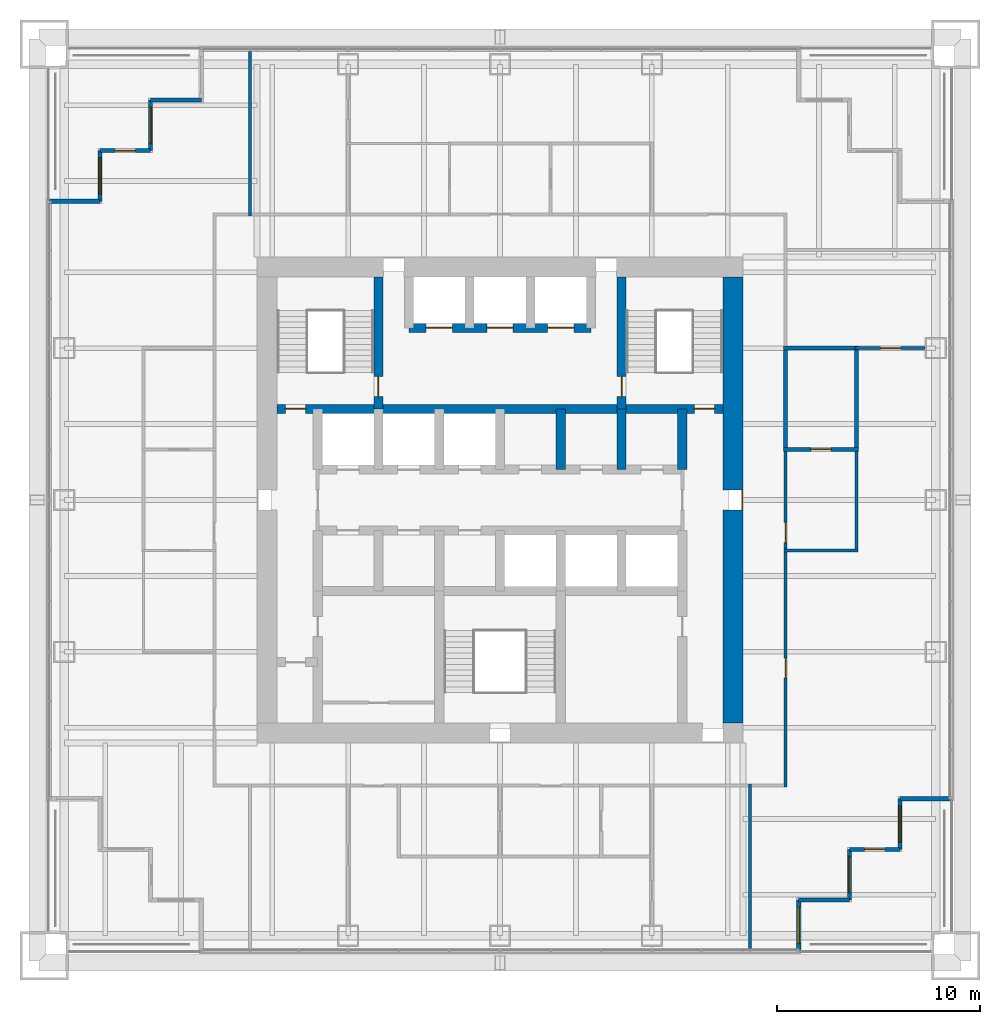
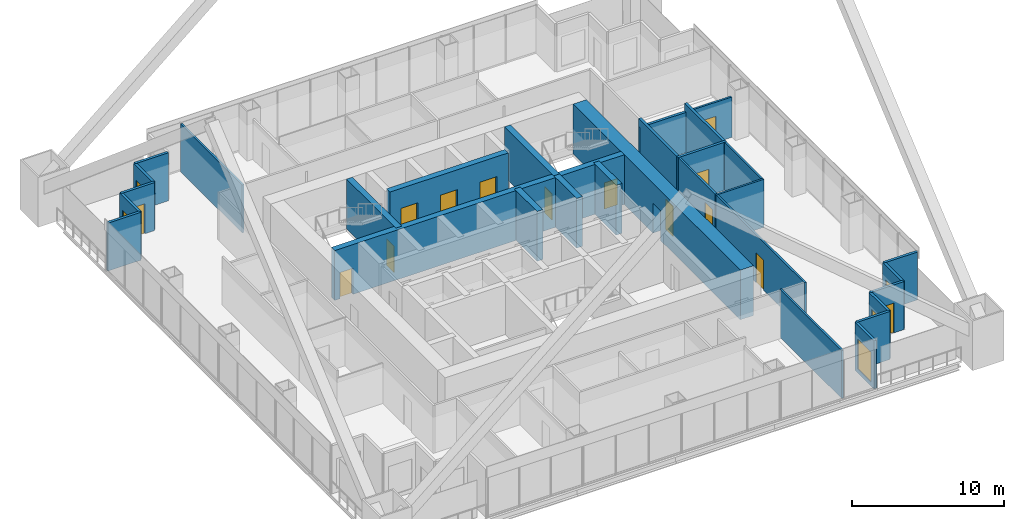
# One storey, part 16 of 19: 29 walls, 14 doors, 5 windows, 19 openings.
"""IFC4 building model written with IfcOpenShell, lengths in metres."""

import ifcopenshell
import ifcopenshell.guid

model = None  # the IFC model being written
_history = None  # IfcOwnerHistory: only IFC2X3 demands one
_inside = {}  # id of a spatial element -> (the spatial element, [elements in it])
_under = {}  # id of a project, library or spatial element -> (it, [spatial elements below it])
_declared = {}  # id of a project -> (the project, [libraries it declares])
_typed = {}  # id of a type object -> (the type object, [elements of that type])
_made_of = {}  # id of a material, layer set ... -> (it, [elements and type objects made of it])


def new_model(schema):
    """Start an empty IFC model of exactly this schema.

    Asked for "IFC4X3", IfcOpenShell would pick the latest addendum, in which some entities
    have other attributes; the version numbers below select the first issue.
    IFC2X3 requires an IfcOwnerHistory on every rooted entity: one is made here for all.
    """
    global model, _history
    if schema == "IFC4X3":
        model = ifcopenshell.file(schema_version=(4, 3, 0, 0))
    else:
        model = ifcopenshell.file(schema=schema)
    _inside.clear()
    _under.clear()
    _declared.clear()
    _typed.clear()
    _made_of.clear()
    _history = None
    if model.schema == "IFC2X3":
        org = make("IfcOrganization", Name="unknown")
        user = make(
            "IfcPersonAndOrganization",
            ThePerson=make("IfcPerson", FamilyName="unknown"),
            TheOrganization=org,
        )
        app = make(
            "IfcApplication",
            ApplicationDeveloper=org,
            Version="unknown",
            ApplicationFullName="unknown",
            ApplicationIdentifier="unknown",
        )
        _history = make(
            "IfcOwnerHistory",
            OwningUser=user,
            OwningApplication=app,
            ChangeAction="ADDED",
            CreationDate=0,
        )
    return model


def make(cls, **values):
    """One entity of the class cls with the attributes given. An attribute that is None is left unset."""
    return model.create_entity(
        cls, **{name: value for name, value in values.items() if value is not None}
    )


def rooted(cls, **values):
    """An entity with a GlobalId (a new one), such as an element, a storey or a relation."""
    return make(cls, GlobalId=ifcopenshell.guid.new(), OwnerHistory=_history, **values)


def si_unit(unit_type, name, prefix=None):
    """IfcSIUnit, for example si_unit("LENGTHUNIT", "METRE", prefix="MILLI")."""
    return make("IfcSIUnit", UnitType=unit_type, Prefix=prefix, Name=name)


def assignment(units):
    """IfcUnitAssignment: the units of a project."""
    return None if units is None else make("IfcUnitAssignment", Units=units)


def point(xyz):
    """IfcCartesianPoint."""
    return None if xyz is None else make("IfcCartesianPoint", Coordinates=xyz)


def direction(xyz):
    """IfcDirection."""
    return None if xyz is None else make("IfcDirection", DirectionRatios=xyz)


def frame(location, z_axis=None, x_axis=None):
    """IfcAxis2Placement3D, a coordinate frame: its origin and axes. An axis left out is left unset."""
    return make(
        "IfcAxis2Placement3D",
        Location=point(location),
        Axis=direction(z_axis),
        RefDirection=direction(x_axis),
    )


def frame_2d(location, x_axis=None):
    """IfcAxis2Placement2D, a coordinate frame in the plane: its origin and x axis."""
    return make(
        "IfcAxis2Placement2D", Location=point(location), RefDirection=direction(x_axis)
    )


def origin():
    """The frame at (0, 0, 0) with its axes left unset."""
    return frame((0.0, 0.0, 0.0))


def place(relative_to, where):
    """IfcLocalPlacement: puts the frame where relative to a parent placement (None: the world)."""
    return make(
        "IfcLocalPlacement", PlacementRelTo=relative_to, RelativePlacement=where
    )


def context(
    kind, dimensions, precision=None, world=None, true_north=None, identifier=None
):
    """IfcGeometricRepresentationContext, for example the 3D "Model" context."""
    return make(
        "IfcGeometricRepresentationContext",
        ContextIdentifier=identifier,
        ContextType=kind,
        CoordinateSpaceDimension=dimensions,
        Precision=precision,
        WorldCoordinateSystem=world,
        TrueNorth=true_north,
    )


def subcontext(parent, identifier, kind, view, scale=None):
    """IfcGeometricRepresentationSubContext, for example "Body" below "Model"."""
    return make(
        "IfcGeometricRepresentationSubContext",
        ContextIdentifier=identifier,
        ContextType=kind,
        ParentContext=parent,
        TargetScale=scale,
        TargetView=view,
    )


def project(units=None, contexts=None):
    """IfcProject with its units and contexts."""
    return rooted(
        "IfcProject",
        Name="project",
        RepresentationContexts=contexts,
        UnitsInContext=assignment(units),
    )


def spatial(cls, under=None, at=None, **own):
    """A site, building, storey or space (cls), placed at a placement, below another one or the project."""
    s = rooted(cls, ObjectPlacement=at, **own)
    if under is not None:
        _under.setdefault(under.id(), (under, []))[1].append(s)
    return s


def profile(cls, at=None, kind="AREA", **sizes):
    """A parametric profile (cls). Its sizes go by their IFC names, for example OverallWidth=200.0."""
    return make(cls, ProfileType=kind, Position=at, **sizes)


def rectangle(**sizes):
    """IfcRectangleProfileDef."""
    return profile("IfcRectangleProfileDef", **sizes)


def extrude(swept, where, along, depth):
    """IfcExtrudedAreaSolid: the profile swept, set in the frame where, extruded along a direction by depth."""
    return make(
        "IfcExtrudedAreaSolid",
        SweptArea=swept,
        Position=where,
        ExtrudedDirection=direction(along),
        Depth=depth,
    )


def shape(context_of_items, identifier, shape_type, items):
    """IfcShapeRepresentation: the items that make up one representation, for example the "Body"."""
    return make(
        "IfcShapeRepresentation",
        ContextOfItems=context_of_items,
        RepresentationIdentifier=identifier,
        RepresentationType=shape_type,
        Items=items,
    )


def material(Name=None, Category=None):
    """IfcMaterial."""
    return make("IfcMaterial", Name=Name, Category=Category)


def layer(
    of_material, thickness, ventilated=None, Name=None, Category=None, Priority=None
):
    """IfcMaterialLayer: one layer of a wall or slab, of a material (None: an air gap)."""
    return make(
        "IfcMaterialLayer",
        Material=of_material,
        LayerThickness=thickness,
        IsVentilated=ventilated,
        Name=Name,
        Category=Category,
        Priority=Priority,
    )


def layer_set(layers, Name=None):
    """IfcMaterialLayerSet."""
    return make("IfcMaterialLayerSet", MaterialLayers=layers, LayerSetName=Name)


def made_of(thing, what):
    """Note that an element or type object is made of a material, layer set ...; save() writes the relation."""
    if what is not None:
        _made_of.setdefault(what.id(), (what, []))[1].append(thing)
    return thing


def type_object(cls, material=None, **own):
    """A type object (cls), such as IfcWallType, which elements share."""
    return made_of(rooted(cls, **own), material)


def element(
    cls,
    number,
    at=None,
    inside=None,
    cuts=None,
    type_object=None,
    material=None,
    context=None,
    identifier="Body",
    shape_type=None,
    held_by="IfcProductDefinitionShape",
    body=None,
    shapes=None,
    **own,
):
    """One element of the class cls, such as IfcWall. Its Tag is "e" and its number.

    at: its placement. inside: the storey or other place that contains it. cuts: it is an
    opening in that element (IfcRelVoidsElement). A single representation is given by context,
    identifier, shape_type and body (its items); several are given by shapes. held_by: the class
    of the entity that holds the representations. save() writes the other relations.
    """
    e = rooted(cls, Tag="e%d" % number, ObjectPlacement=at, **own)
    if body is not None:
        shapes = [shape(context, identifier, shape_type, body)]
    if shapes is not None:
        e.Representation = make(held_by, Representations=shapes)
    if inside is not None:
        _inside.setdefault(inside.id(), (inside, []))[1].append(e)
    if cuts is not None:
        rooted(
            "IfcRelVoidsElement", RelatingBuildingElement=cuts, RelatedOpeningElement=e
        )
    if type_object is not None:
        _typed.setdefault(type_object.id(), (type_object, []))[1].append(e)
    return made_of(e, material)


def fill(opening, filler):
    """IfcRelFillsElement: the door or window that sits in an opening."""
    return rooted(
        "IfcRelFillsElement",
        RelatingOpeningElement=opening,
        RelatedBuildingElement=filler,
    )


def aggregate(whole, parts):
    """IfcRelAggregates: a whole, such as a stair, and the parts it consists of."""
    return rooted("IfcRelAggregates", RelatingObject=whole, RelatedObjects=parts)


def save(model, path):
    """Write the relations noted so far, then the file.

    IfcRelAggregates (storeys below a building ...), IfcRelContainedInSpatialStructure (elements
    in a storey), IfcRelDefinesByType, IfcRelAssociatesMaterial and IfcRelDeclares: one each for
    every whole, place, type object, material and project.
    """
    for whole, parts in _under.values():
        aggregate(whole, parts)
    for where, things in _inside.values():
        rooted(
            "IfcRelContainedInSpatialStructure",
            RelatedElements=things,
            RelatingStructure=where,
        )
    for kind, things in _typed.values():
        rooted("IfcRelDefinesByType", RelatedObjects=things, RelatingType=kind)
    for what, things in _made_of.values():
        rooted("IfcRelAssociatesMaterial", RelatedObjects=things, RelatingMaterial=what)
    for by, libraries in _declared.values():
        rooted("IfcRelDeclares", RelatingContext=by, RelatedDefinitions=libraries)
    model.write(path)


model = new_model("IFC4")

# Units and contexts
model_context = context("Model", 3, precision=1e-05, world=origin(), true_north=direction((0.0, 1.0)))
body_context = subcontext(model_context, "Body", "Model", "MODEL_VIEW")
ifc_project = project(units=[si_unit("LENGTHUNIT", "METRE"), si_unit("AREAUNIT", "SQUARE_METRE"), si_unit("VOLUMEUNIT", "CUBIC_METRE"), si_unit("PLANEANGLEUNIT", "RADIAN"), si_unit("MASSUNIT", "GRAM", prefix="KILO")], contexts=[model_context])

# Site, building, storey
site_placement = place(None, origin())
site = spatial("IfcSite", under=ifc_project, at=site_placement, CompositionType="ELEMENT")
building_placement = place(site_placement, origin())
building = spatial("IfcBuilding", under=site, at=building_placement, Name="Tarangal Relay Tower", CompositionType="ELEMENT")
storey_placement = place(building_placement, frame((0.0, 0.0, 213.89990234375)))
storey = spatial("IfcBuildingStorey", under=building, at=storey_placement, Name="L45", CompositionType="ELEMENT", Elevation=213.89990234375)

# Wall, opening, door
ifc_material_1 = material(Name="Two layers gypsum board each side on twin steel studs, mineral wool", Category="steel")
ifc_layer_1 = layer(ifc_material_1, 0.199951171875)
ifc_layer_set_1 = layer_set([ifc_layer_1], Name="Acoustic partition 200")
wall_type_1 = type_object("IfcWallType", Name="Acoustic partition 200", PredefinedType="PARTITIONING", material=ifc_layer_set_1)
wall_1_placement = place(storey_placement, frame((14.0, 2.5, 0.0), z_axis=(0.0, 0.0, 1.0), x_axis=(1.0, 0.0, 0.0)))
wall_1 = element("IfcWall", 1, at=wall_1_placement, inside=storey, type_object=wall_type_1, Name="Partition PT2 L45", PredefinedType="PARTITIONING", context=body_context, shape_type="SweptSolid", body=[
    extrude(rectangle(XDim=3.699951171875, YDim=0.199951171875, at=frame_2d((1.85009765625, 0.0))), origin(), (0.0, 0.0, 1.0), 3.85009765625),
])
opening_1_placement = place(wall_1_placement, frame((1.35009765625, 0.0, 0.0)))
opening_1 = element("IfcOpeningElement", 2, at=opening_1_placement, cuts=wall_1, Name="Opening D2", PredefinedType="OPENING", context=body_context, shape_type="SweptSolid", body=[
    extrude(rectangle(XDim=1.0, YDim=2.10009765625, at=frame_2d((0.5, 1.050048828125))), frame((0.0, 0.10986328125, 0.0), z_axis=(0.0, -1.0, 0.0), x_axis=(1.0, 0.0, 0.0)), (0.0, 0.0, 1.0), 0.219970703125),
])
ifc_material_2 = material(Name="Hardwood door", Category="wood")
door_type_1 = type_object("IfcDoorType", Name="Door 1000 x 2100", OperationType="SINGLE_SWING_LEFT", PredefinedType="DOOR", material=ifc_material_2)
door_1_placement = place(opening_1_placement, origin())
door_1 = element("IfcDoor", 3, at=door_1_placement, inside=storey, type_object=door_type_1, Name="Door D2 to meeting room L45-07", OperationType="SINGLE_SWING_LEFT", OverallHeight=2.10009765625, OverallWidth=1.0, PredefinedType="DOOR", context=body_context, shape_type="SweptSolid", body=[
    extrude(rectangle(XDim=1.0, YDim=2.10009765625, at=frame_2d((0.5, 1.050048828125))), frame((0.0, 0.02490234375, 0.0), z_axis=(0.0, -1.0, 0.0), x_axis=(1.0, 0.0, 0.0)), (0.0, 0.0, 1.0), 0.050048828125),
])
fill(opening_1, door_1)

# Walls
wall_2_placement = place(storey_placement, frame((14.0, 7.5, 0.0), z_axis=(0.0, 0.0, 1.0), x_axis=(1.0, 0.0, 0.0)))
element("IfcWall", 4, at=wall_2_placement, inside=storey, type_object=wall_type_1, Name="Partition PT2 L45", PredefinedType="PARTITIONING", context=body_context, shape_type="SweptSolid", body=[
    extrude(rectangle(XDim=3.699951171875, YDim=0.199951171875, at=frame_2d((1.85009765625, 0.0))), origin(), (0.0, 0.0, 1.0), 3.238037109375),
])
for number, where, z_axis, x_axis, name in (
    (5, (14.10009765625, 2.39990234375, 0.0), (0.0, 0.0, 1.0), (0.0, 1.0, 0.0), "Partition PT2 L45"),
    (6, (17.60009765625, 2.39990234375, 0.0), (0.0, 0.0, 1.0), (0.0, 1.0, 0.0), "Partition PT2 L45"),
):
    element("IfcWall", number, at=place(storey_placement, frame(where, z_axis=z_axis, x_axis=x_axis)), inside=storey, type_object=wall_type_1, Name=name, PredefinedType="PARTITIONING", context=body_context, shape_type="SweptSolid", body=[
        extrude(rectangle(XDim=5.2001953125, YDim=0.199951171875, at=frame_2d((2.60009765625, 0.0))), origin(), (0.0, 0.0, 1.0), 3.85009765625),
    ])

# Wall, openings, doors
ifc_material_3 = material(Name="Concrete fc' 60 MPa", Category="concrete")
ifc_layer_2 = layer(ifc_material_3, 0.449951171875)
ifc_layer_set_2 = layer_set([ifc_layer_2], Name="Core inner wall 450")
wall_type_2 = type_object("IfcWallType", Name="Core inner wall 450", PredefinedType="SHEAR", material=ifc_layer_set_2)
wall_3_placement = place(storey_placement, frame((-11.0, 4.5, 0.0), z_axis=(0.0, 0.0, 1.0), x_axis=(1.0, 0.0, 0.0)))
wall_3 = element("IfcWall", 7, at=wall_3_placement, inside=storey, type_object=wall_type_2, Name="Core wall Y45 L45", PredefinedType="SHEAR", context=body_context, shape_type="SweptSolid", body=[
    extrude(rectangle(XDim=22.0, YDim=0.449951171875, at=frame_2d((11.0, 0.0))), origin(), (0.0, 0.0, 1.0), 4.0),
])
opening_2_placement = place(wall_3_placement, frame((0.39990234375, 0.0, 0.0)))
opening_2 = element("IfcOpeningElement", 8, at=opening_2_placement, cuts=wall_3, Name="Opening FD1", PredefinedType="OPENING", context=body_context, shape_type="SweptSolid", body=[
    extrude(rectangle(XDim=1.0, YDim=2.10009765625, at=frame_2d((0.5, 1.050048828125))), frame((0.0, 0.23486328125, 0.0), z_axis=(0.0, -1.0, 0.0), x_axis=(1.0, 0.0, 0.0)), (0.0, 0.0, 1.0), 0.469970703125),
])
opening_3_placement = place(wall_3_placement, frame((20.60009765625, 0.0, 0.0)))
opening_3 = element("IfcOpeningElement", 9, at=opening_3_placement, cuts=wall_3, Name="Opening FD1", PredefinedType="OPENING", context=body_context, shape_type="SweptSolid", body=[
    extrude(rectangle(XDim=1.0, YDim=2.10009765625, at=frame_2d((0.5, 1.050048828125))), frame((0.0, 0.23486328125, 0.0), z_axis=(0.0, -1.0, 0.0), x_axis=(1.0, 0.0, 0.0)), (0.0, 0.0, 1.0), 0.469970703125),
])
ifc_material_4 = material(Name="Steel door with hardwood frame", Category="steel")
door_type_2 = type_object("IfcDoorType", Name="Fire door 1000 x 2100", OperationType="SINGLE_SWING_LEFT", PredefinedType="DOOR", material=ifc_material_4)
door_2_placement = place(opening_2_placement, origin())
door_2 = element("IfcDoor", 10, at=door_2_placement, inside=storey, type_object=door_type_2, Name="Stair ST-A door from corridor L45", OperationType="SINGLE_SWING_LEFT", OverallHeight=2.10009765625, OverallWidth=1.0, PredefinedType="DOOR", context=body_context, shape_type="SweptSolid", body=[
    extrude(rectangle(XDim=1.0, YDim=2.10009765625, at=frame_2d((0.5, 1.050048828125))), frame((0.0, 0.02490234375, 0.0), z_axis=(0.0, -1.0, 0.0), x_axis=(1.0, 0.0, 0.0)), (0.0, 0.0, 1.0), 0.050048828125),
])
fill(opening_2, door_2)
door_3_placement = place(opening_3_placement, origin())
door_3 = element("IfcDoor", 11, at=door_3_placement, inside=storey, type_object=door_type_2, Name="Stair ST-B door from corridor L45", OperationType="SINGLE_SWING_LEFT", OverallHeight=2.10009765625, OverallWidth=1.0, PredefinedType="DOOR", context=body_context, shape_type="SweptSolid", body=[
    extrude(rectangle(XDim=1.0, YDim=2.10009765625, at=frame_2d((0.5, 1.050048828125))), frame((0.0, 0.02490234375, 0.0), z_axis=(0.0, -1.0, 0.0), x_axis=(1.0, 0.0, 0.0)), (0.0, 0.0, 1.0), 0.050048828125),
])
fill(opening_3, door_3)

wall_4_placement = place(storey_placement, frame((-4.5, 8.5, 0.0), z_axis=(0.0, 0.0, 1.0), x_axis=(1.0, 0.0, 0.0)))
wall_4 = element("IfcWall", 12, at=wall_4_placement, inside=storey, type_object=wall_type_2, Name="Core wall Y85 L45", PredefinedType="SHEAR", context=body_context, shape_type="SweptSolid", body=[
    extrude(rectangle(XDim=9.0, YDim=0.449951171875, at=frame_2d((4.5, 0.0))), origin(), (0.0, 0.0, 1.0), 4.0),
])
opening_4_placement = place(wall_4_placement, frame((0.85009765625, 0.0, 0.0)))
opening_4 = element("IfcOpeningElement", 13, at=opening_4_placement, cuts=wall_4, Name="Opening LD2", PredefinedType="OPENING", context=body_context, shape_type="SweptSolid", body=[
    extrude(rectangle(XDim=1.300048828125, YDim=2.39990234375, at=frame_2d((0.64990234375, 1.199951171875))), frame((0.0, 0.23486328125, 0.0), z_axis=(0.0, -1.0, 0.0), x_axis=(1.0, 0.0, 0.0)), (0.0, 0.0, 1.0), 0.469970703125),
])
opening_5_placement = place(wall_4_placement, frame((6.85009765625, 0.0, 0.0)))
opening_5 = element("IfcOpeningElement", 14, at=opening_5_placement, cuts=wall_4, Name="Opening LD2", PredefinedType="OPENING", context=body_context, shape_type="SweptSolid", body=[
    extrude(rectangle(XDim=1.300048828125, YDim=2.39990234375, at=frame_2d((0.64990234375, 1.199951171875))), frame((0.0, 0.23486328125, 0.0), z_axis=(0.0, -1.0, 0.0), x_axis=(1.0, 0.0, 0.0)), (0.0, 0.0, 1.0), 0.469970703125),
])
opening_6_placement = place(wall_4_placement, frame((3.85009765625, 0.0, 0.0)))
opening_6 = element("IfcOpeningElement", 15, at=opening_6_placement, cuts=wall_4, Name="Opening LD2", PredefinedType="OPENING", context=body_context, shape_type="SweptSolid", body=[
    extrude(rectangle(XDim=1.300048828125, YDim=2.39990234375, at=frame_2d((0.64990234375, 1.199951171875))), frame((0.0, 0.23486328125, 0.0), z_axis=(0.0, -1.0, 0.0), x_axis=(1.0, 0.0, 0.0)), (0.0, 0.0, 1.0), 0.469970703125),
])
door_type_3 = type_object("IfcDoorType", Name="Lift landing door 1300 x 2400", OperationType="SLIDING_TO_LEFT", PredefinedType="DOOR", material=ifc_material_4)
door_4_placement = place(opening_4_placement, origin())
door_4 = element("IfcDoor", 16, at=door_4_placement, inside=storey, type_object=door_type_3, Name="Lift FF1 landing door L45", OperationType="SLIDING_TO_LEFT", OverallHeight=2.39990234375, OverallWidth=1.300048828125, PredefinedType="DOOR", context=body_context, shape_type="SweptSolid", body=[
    extrude(rectangle(XDim=1.300048828125, YDim=2.39990234375, at=frame_2d((0.64990234375, 1.199951171875))), frame((0.0, 0.02490234375, 0.0), z_axis=(0.0, -1.0, 0.0), x_axis=(1.0, 0.0, 0.0)), (0.0, 0.0, 1.0), 0.050048828125),
])
fill(opening_4, door_4)
door_5_placement = place(opening_5_placement, origin())
door_5 = element("IfcDoor", 17, at=door_5_placement, inside=storey, type_object=door_type_3, Name="Lift FF2 landing door L45", OperationType="SLIDING_TO_LEFT", OverallHeight=2.39990234375, OverallWidth=1.300048828125, PredefinedType="DOOR", context=body_context, shape_type="SweptSolid", body=[
    extrude(rectangle(XDim=1.300048828125, YDim=2.39990234375, at=frame_2d((0.64990234375, 1.199951171875))), frame((0.0, 0.02490234375, 0.0), z_axis=(0.0, -1.0, 0.0), x_axis=(1.0, 0.0, 0.0)), (0.0, 0.0, 1.0), 0.050048828125),
])
fill(opening_5, door_5)
door_6_placement = place(opening_6_placement, origin())
door_6 = element("IfcDoor", 18, at=door_6_placement, inside=storey, type_object=door_type_3, Name="Lift SV1 landing door L45", OperationType="SLIDING_TO_LEFT", OverallHeight=2.39990234375, OverallWidth=1.300048828125, PredefinedType="DOOR", context=body_context, shape_type="SweptSolid", body=[
    extrude(rectangle(XDim=1.300048828125, YDim=2.39990234375, at=frame_2d((0.64990234375, 1.199951171875))), frame((0.0, 0.02490234375, 0.0), z_axis=(0.0, -1.0, 0.0), x_axis=(1.0, 0.0, 0.0)), (0.0, 0.0, 1.0), 0.050048828125),
])
fill(opening_6, door_6)

# Walls
for number, where, z_axis, x_axis, name in (
    (19, (9.0, 1.5, 0.0), (0.0, 0.0, 1.0), (0.0, 1.0, 0.0), "Core wall X9N L45"),
    (20, (3.0, 1.5, 0.0), (0.0, 0.0, 1.0), (0.0, 1.0, 0.0), "Core wall X3N L45"),
    (21, (6.0, 1.5, 0.0), (0.0, 0.0, 1.0), (0.0, 1.0, 0.0), "Core wall X6N L45"),
):
    element("IfcWall", number, at=place(storey_placement, frame(where, z_axis=z_axis, x_axis=x_axis)), inside=storey, type_object=wall_type_2, Name=name, PredefinedType="SHEAR", context=body_context, shape_type="SweptSolid", body=[
        extrude(rectangle(XDim=3.0, YDim=0.449951171875, at=frame_2d((1.5, 0.0))), origin(), (0.0, 0.0, 1.0), 4.0),
    ])

# Wall, opening, door
wall_5_placement = place(storey_placement, frame((-6.0, 4.5, 0.0), z_axis=(0.0, 0.0, 1.0), x_axis=(0.0, 1.0, 0.0)))
wall_5 = element("IfcWall", 22, at=wall_5_placement, inside=storey, type_object=wall_type_2, Name="Core wall XM6 L45", PredefinedType="SHEAR", context=body_context, shape_type="SweptSolid", body=[
    extrude(rectangle(XDim=6.5, YDim=0.449951171875, at=frame_2d((3.25, 0.0))), origin(), (0.0, 0.0, 1.0), 4.0),
])
opening_7_placement = place(wall_5_placement, frame((0.60009765625, 0.0, 0.0)))
opening_7 = element("IfcOpeningElement", 23, at=opening_7_placement, cuts=wall_5, Name="Opening FD1", PredefinedType="OPENING", context=body_context, shape_type="SweptSolid", body=[
    extrude(rectangle(XDim=1.0, YDim=2.10009765625, at=frame_2d((0.5, 1.050048828125))), frame((0.0, 0.23486328125, 0.0), z_axis=(0.0, -1.0, 0.0), x_axis=(1.0, 0.0, 0.0)), (0.0, 0.0, 1.0), 0.469970703125),
])
door_7_placement = place(opening_7_placement, origin())
door_7 = element("IfcDoor", 24, at=door_7_placement, inside=storey, type_object=door_type_2, Name="Stair ST-A door from fire-fighting lobby L45", OperationType="SINGLE_SWING_LEFT", OverallHeight=2.10009765625, OverallWidth=1.0, PredefinedType="DOOR", context=body_context, shape_type="SweptSolid", body=[
    extrude(rectangle(XDim=1.0, YDim=2.10009765625, at=frame_2d((0.5, 1.050048828125))), frame((0.0, 0.02490234375, 0.0), z_axis=(0.0, -1.0, 0.0), x_axis=(1.0, 0.0, 0.0)), (0.0, 0.0, 1.0), 0.050048828125),
])
fill(opening_7, door_7)

wall_6_placement = place(storey_placement, frame((6.0, 4.5, 0.0), z_axis=(0.0, 0.0, 1.0), x_axis=(0.0, 1.0, 0.0)))
wall_6 = element("IfcWall", 25, at=wall_6_placement, inside=storey, type_object=wall_type_2, Name="Core wall X6 L45", PredefinedType="SHEAR", context=body_context, shape_type="SweptSolid", body=[
    extrude(rectangle(XDim=6.5, YDim=0.449951171875, at=frame_2d((3.25, 0.0))), origin(), (0.0, 0.0, 1.0), 4.0),
])
opening_8_placement = place(wall_6_placement, frame((0.60009765625, 0.0, 0.0)))
opening_8 = element("IfcOpeningElement", 26, at=opening_8_placement, cuts=wall_6, Name="Opening FD1", PredefinedType="OPENING", context=body_context, shape_type="SweptSolid", body=[
    extrude(rectangle(XDim=1.0, YDim=2.10009765625, at=frame_2d((0.5, 1.050048828125))), frame((0.0, 0.23486328125, 0.0), z_axis=(0.0, -1.0, 0.0), x_axis=(1.0, 0.0, 0.0)), (0.0, 0.0, 1.0), 0.469970703125),
])
door_8_placement = place(opening_8_placement, origin())
door_8 = element("IfcDoor", 27, at=door_8_placement, inside=storey, type_object=door_type_2, Name="Stair ST-B door from fire-fighting lobby L45", OperationType="SINGLE_SWING_LEFT", OverallHeight=2.10009765625, OverallWidth=1.0, PredefinedType="DOOR", context=body_context, shape_type="SweptSolid", body=[
    extrude(rectangle(XDim=1.0, YDim=2.10009765625, at=frame_2d((0.5, 1.050048828125))), frame((0.0, 0.02490234375, 0.0), z_axis=(0.0, -1.0, 0.0), x_axis=(1.0, 0.0, 0.0)), (0.0, 0.0, 1.0), 0.050048828125),
])
fill(opening_8, door_8)

ifc_layer_3 = layer(ifc_material_3, 1.0)
ifc_layer_set_3 = layer_set([ifc_layer_3], Name="Core wall 1000")
wall_type_3 = type_object("IfcWallType", Name="Core wall 1000", PredefinedType="SHEAR", material=ifc_layer_set_3)
wall_7_placement = place(storey_placement, frame((11.5, 11.0, 0.0), z_axis=(0.0, 0.0, 1.0), x_axis=(0.0, -1.0, 0.0)))
wall_7 = element("IfcWall", 28, at=wall_7_placement, inside=storey, type_object=wall_type_3, Name="Core wall E L45", PredefinedType="SHEAR", context=body_context, shape_type="SweptSolid", body=[
    extrude(rectangle(XDim=22.0, YDim=1.0, at=frame_2d((11.0, 0.0))), origin(), (0.0, 0.0, 1.0), 4.0),
])
opening_9_placement = place(wall_7_placement, frame((10.5, 0.0, 0.0)))
opening_9 = element("IfcOpeningElement", 29, at=opening_9_placement, cuts=wall_7, Name="Opening FD3", PredefinedType="OPENING", context=body_context, shape_type="SweptSolid", body=[
    extrude(rectangle(XDim=1.0, YDim=2.39990234375, at=frame_2d((0.5, 1.199951171875))), frame((0.0, 0.510009765625, 0.0), z_axis=(0.0, -1.0, 0.0), x_axis=(1.0, 0.0, 0.0)), (0.0, 0.0, 1.0), 1.02001953125),
])
door_type_4 = type_object("IfcDoorType", Name="Fire door 1000 x 2400 core entry", OperationType="SINGLE_SWING_RIGHT", PredefinedType="DOOR", material=ifc_material_4)
door_9_placement = place(opening_9_placement, origin())
door_9 = element("IfcDoor", 30, at=door_9_placement, inside=storey, type_object=door_type_4, Name="Core entry door east L45", OperationType="SINGLE_SWING_RIGHT", OverallHeight=2.39990234375, OverallWidth=1.0, PredefinedType="DOOR", context=body_context, shape_type="SweptSolid", body=[
    extrude(rectangle(XDim=1.0, YDim=2.39990234375, at=frame_2d((0.5, 1.199951171875))), frame((0.0, 0.48486328125, 0.0), z_axis=(0.0, -1.0, 0.0), x_axis=(1.0, 0.0, 0.0)), (0.0, 0.0, 1.0), 0.050048828125),
])
fill(opening_9, door_9)

# Wall
ifc_material_5 = material(Name="Black metal clad insulated wall", Category="steel")
ifc_layer_4 = layer(ifc_material_5, 0.199951171875)
ifc_layer_set_4 = layer_set([ifc_layer_4], Name="Corner wall metal clad 200")
wall_type_4 = type_object("IfcWallType", Name="Corner wall metal clad 200", PredefinedType="SOLIDWALL", material=ifc_layer_set_4)
wall_8_placement = place(storey_placement, frame((22.25, -14.75, 0.0), z_axis=(0.0, 0.0, 1.0), x_axis=(-1.0, 0.0, 0.0)))
element("IfcWall", 31, at=wall_8_placement, inside=storey, type_object=wall_type_4, Name="Facade wall E facade L45", PredefinedType="SOLIDWALL", context=body_context, shape_type="SweptSolid", body=[
    extrude(rectangle(XDim=2.5, YDim=0.199951171875, at=frame_2d((1.25, 0.0))), origin(), (0.0, 0.0, 1.0), 3.85009765625),
])

# Wall, opening, window
wall_9_placement = place(storey_placement, frame((19.75, -14.75, 0.0), z_axis=(0.0, 0.0, 1.0), x_axis=(0.0, -1.0, 0.0)))
wall_9 = element("IfcWall", 32, at=wall_9_placement, inside=storey, type_object=wall_type_4, Name="Facade wall E facade L45", PredefinedType="SOLIDWALL", context=body_context, shape_type="SweptSolid", body=[
    extrude(rectangle(XDim=2.5, YDim=0.199951171875, at=frame_2d((1.25, 0.0))), origin(), (0.0, 0.0, 1.0), 3.85009765625),
])
opening_10_placement = place(wall_9_placement, frame((0.35009765625, 0.0, 0.300048828125)))
opening_10 = element("IfcOpeningElement", 33, at=opening_10_placement, cuts=wall_9, Name="Opening WN2", PredefinedType="OPENING", context=body_context, shape_type="SweptSolid", body=[
    extrude(rectangle(XDim=1.800048828125, YDim=2.39990234375, at=frame_2d((0.89990234375, 1.199951171875))), frame((0.0, 0.10986328125, 0.0), z_axis=(0.0, -1.0, 0.0), x_axis=(1.0, 0.0, 0.0)), (0.0, 0.0, 1.0), 0.219970703125),
])
ifc_material_6 = material(Name="Dark tinted double glazing in black aluminium frame", Category="aluminium")
window_type = type_object("IfcWindowType", Name="Corner window 1800 x 2400", PartitioningType="SINGLE_PANEL", PredefinedType="WINDOW", material=ifc_material_6)
window_1_placement = place(opening_10_placement, origin())
window_1 = element("IfcWindow", 34, at=window_1_placement, inside=storey, type_object=window_type, Name="Corner window WN2 E facade L45", OverallHeight=2.39990234375, OverallWidth=1.800048828125, PartitioningType="SINGLE_PANEL", PredefinedType="WINDOW", context=body_context, shape_type="SweptSolid", body=[
    extrude(rectangle(XDim=1.800048828125, YDim=2.39990234375, at=frame_2d((0.89990234375, 1.199951171875))), frame((0.0, 0.030029296875, 0.0), z_axis=(0.0, -1.0, 0.0), x_axis=(1.0, 0.0, 0.0)), (0.0, 0.0, 1.0), 0.06005859375),
])
fill(opening_10, window_1)

# Wall, opening, door
wall_10_placement = place(storey_placement, frame((19.75, -17.25, 0.0), z_axis=(0.0, 0.0, 1.0), x_axis=(-1.0, 0.0, 0.0)))
wall_10 = element("IfcWall", 35, at=wall_10_placement, inside=storey, type_object=wall_type_4, Name="Facade wall E facade L45", PredefinedType="SOLIDWALL", context=body_context, shape_type="SweptSolid", body=[
    extrude(rectangle(XDim=2.5, YDim=0.199951171875, at=frame_2d((1.25, 0.0))), origin(), (0.0, 0.0, 1.0), 3.85009765625),
])
opening_11_placement = place(wall_10_placement, frame((0.75, 0.0, 0.0)))
opening_11 = element("IfcOpeningElement", 36, at=opening_11_placement, cuts=wall_10, Name="Opening TD1", PredefinedType="OPENING", context=body_context, shape_type="SweptSolid", body=[
    extrude(rectangle(XDim=1.0, YDim=2.39990234375, at=frame_2d((0.5, 1.199951171875))), frame((0.0, 0.10986328125, 0.0), z_axis=(0.0, -1.0, 0.0), x_axis=(1.0, 0.0, 0.0)), (0.0, 0.0, 1.0), 0.219970703125),
])
ifc_material_7 = material(Name="Aluminium glazed door", Category="aluminium")
door_type_5 = type_object("IfcDoorType", Name="Terrace door 1000 x 2400", OperationType="SINGLE_SWING_RIGHT", PredefinedType="DOOR", material=ifc_material_7)
door_10_placement = place(opening_11_placement, origin())
door_10 = element("IfcDoor", 37, at=door_10_placement, inside=storey, type_object=door_type_5, Name="Terrace door TD1 SE L45", OperationType="SINGLE_SWING_RIGHT", OverallHeight=2.39990234375, OverallWidth=1.0, PredefinedType="DOOR", context=body_context, shape_type="SweptSolid", body=[
    extrude(rectangle(XDim=1.0, YDim=2.39990234375, at=frame_2d((0.5, 1.199951171875))), frame((0.0, 0.02490234375, 0.0), z_axis=(0.0, -1.0, 0.0), x_axis=(1.0, 0.0, 0.0)), (0.0, 0.0, 1.0), 0.050048828125),
])
fill(opening_11, door_10)

# Wall, opening, window
wall_11_placement = place(storey_placement, frame((17.25, -17.25, 0.0), z_axis=(0.0, 0.0, 1.0), x_axis=(0.0, -1.0, 0.0)))
wall_11 = element("IfcWall", 38, at=wall_11_placement, inside=storey, type_object=wall_type_4, Name="Facade wall E facade L45", PredefinedType="SOLIDWALL", context=body_context, shape_type="SweptSolid", body=[
    extrude(rectangle(XDim=2.5, YDim=0.199951171875, at=frame_2d((1.25, 0.0))), origin(), (0.0, 0.0, 1.0), 3.85009765625),
])
opening_12_placement = place(wall_11_placement, frame((0.35009765625, 0.0, 0.300048828125)))
opening_12 = element("IfcOpeningElement", 39, at=opening_12_placement, cuts=wall_11, Name="Opening WN2", PredefinedType="OPENING", context=body_context, shape_type="SweptSolid", body=[
    extrude(rectangle(XDim=1.800048828125, YDim=2.39990234375, at=frame_2d((0.89990234375, 1.199951171875))), frame((0.0, 0.10986328125, 0.0), z_axis=(0.0, -1.0, 0.0), x_axis=(1.0, 0.0, 0.0)), (0.0, 0.0, 1.0), 0.219970703125),
])
window_2_placement = place(opening_12_placement, origin())
window_2 = element("IfcWindow", 40, at=window_2_placement, inside=storey, type_object=window_type, Name="Corner window WN2 E facade L45", OverallHeight=2.39990234375, OverallWidth=1.800048828125, PartitioningType="SINGLE_PANEL", PredefinedType="WINDOW", context=body_context, shape_type="SweptSolid", body=[
    extrude(rectangle(XDim=1.800048828125, YDim=2.39990234375, at=frame_2d((0.89990234375, 1.199951171875))), frame((0.0, 0.030029296875, 0.0), z_axis=(0.0, -1.0, 0.0), x_axis=(1.0, 0.0, 0.0)), (0.0, 0.0, 1.0), 0.06005859375),
])
fill(opening_12, window_2)

# Wall
wall_12_placement = place(storey_placement, frame((17.25, -19.75, 0.0), z_axis=(0.0, 0.0, 1.0), x_axis=(-1.0, 0.0, 0.0)))
element("IfcWall", 41, at=wall_12_placement, inside=storey, type_object=wall_type_4, Name="Facade wall E facade L45", PredefinedType="SOLIDWALL", context=body_context, shape_type="SweptSolid", body=[
    extrude(rectangle(XDim=2.5, YDim=0.199951171875, at=frame_2d((1.25, 0.0))), origin(), (0.0, 0.0, 1.0), 3.85009765625),
])

# Wall, opening, window
wall_13_placement = place(storey_placement, frame((14.75, -19.75, 0.0), z_axis=(0.0, 0.0, 1.0), x_axis=(0.0, -1.0, 0.0)))
wall_13 = element("IfcWall", 42, at=wall_13_placement, inside=storey, type_object=wall_type_4, Name="Facade wall E facade L45", PredefinedType="SOLIDWALL", context=body_context, shape_type="SweptSolid", body=[
    extrude(rectangle(XDim=2.5, YDim=0.199951171875, at=frame_2d((1.25, 0.0))), origin(), (0.0, 0.0, 1.0), 3.85009765625),
])
opening_13_placement = place(wall_13_placement, frame((0.35009765625, 0.0, 0.300048828125)))
opening_13 = element("IfcOpeningElement", 43, at=opening_13_placement, cuts=wall_13, Name="Opening WN2", PredefinedType="OPENING", context=body_context, shape_type="SweptSolid", body=[
    extrude(rectangle(XDim=1.800048828125, YDim=2.39990234375, at=frame_2d((0.89990234375, 1.199951171875))), frame((0.0, 0.10986328125, 0.0), z_axis=(0.0, -1.0, 0.0), x_axis=(1.0, 0.0, 0.0)), (0.0, 0.0, 1.0), 0.219970703125),
])
window_3_placement = place(opening_13_placement, origin())
window_3 = element("IfcWindow", 44, at=window_3_placement, inside=storey, type_object=window_type, Name="Corner window WN2 E facade L45", OverallHeight=2.39990234375, OverallWidth=1.800048828125, PartitioningType="SINGLE_PANEL", PredefinedType="WINDOW", context=body_context, shape_type="SweptSolid", body=[
    extrude(rectangle(XDim=1.800048828125, YDim=2.39990234375, at=frame_2d((0.89990234375, 1.199951171875))), frame((0.0, 0.030029296875, 0.0), z_axis=(0.0, -1.0, 0.0), x_axis=(1.0, 0.0, 0.0)), (0.0, 0.0, 1.0), 0.06005859375),
])
fill(opening_13, window_3)

# Wall
wall_14_placement = place(storey_placement, frame((-22.25, 14.75, 0.0), z_axis=(0.0, 0.0, 1.0), x_axis=(1.0, 0.0, 0.0)))
element("IfcWall", 45, at=wall_14_placement, inside=storey, type_object=wall_type_4, Name="Facade wall W facade L45", PredefinedType="SOLIDWALL", context=body_context, shape_type="SweptSolid", body=[
    extrude(rectangle(XDim=2.5, YDim=0.199951171875, at=frame_2d((1.25, 0.0))), origin(), (0.0, 0.0, 1.0), 3.85009765625),
])

# Wall, opening, window
wall_15_placement = place(storey_placement, frame((-19.75, 14.75, 0.0), z_axis=(0.0, 0.0, 1.0), x_axis=(0.0, 1.0, 0.0)))
wall_15 = element("IfcWall", 46, at=wall_15_placement, inside=storey, type_object=wall_type_4, Name="Facade wall W facade L45", PredefinedType="SOLIDWALL", context=body_context, shape_type="SweptSolid", body=[
    extrude(rectangle(XDim=2.5, YDim=0.199951171875, at=frame_2d((1.25, 0.0))), origin(), (0.0, 0.0, 1.0), 3.85009765625),
])
opening_14_placement = place(wall_15_placement, frame((0.35009765625, 0.0, 0.300048828125)))
opening_14 = element("IfcOpeningElement", 47, at=opening_14_placement, cuts=wall_15, Name="Opening WN2", PredefinedType="OPENING", context=body_context, shape_type="SweptSolid", body=[
    extrude(rectangle(XDim=1.800048828125, YDim=2.39990234375, at=frame_2d((0.89990234375, 1.199951171875))), frame((0.0, 0.10986328125, 0.0), z_axis=(0.0, -1.0, 0.0), x_axis=(1.0, 0.0, 0.0)), (0.0, 0.0, 1.0), 0.219970703125),
])
window_4_placement = place(opening_14_placement, origin())
window_4 = element("IfcWindow", 48, at=window_4_placement, inside=storey, type_object=window_type, Name="Corner window WN2 W facade L45", OverallHeight=2.39990234375, OverallWidth=1.800048828125, PartitioningType="SINGLE_PANEL", PredefinedType="WINDOW", context=body_context, shape_type="SweptSolid", body=[
    extrude(rectangle(XDim=1.800048828125, YDim=2.39990234375, at=frame_2d((0.89990234375, 1.199951171875))), frame((0.0, 0.030029296875, 0.0), z_axis=(0.0, -1.0, 0.0), x_axis=(1.0, 0.0, 0.0)), (0.0, 0.0, 1.0), 0.06005859375),
])
fill(opening_14, window_4)

# Wall, opening, door
wall_16_placement = place(storey_placement, frame((-19.75, 17.25, 0.0), z_axis=(0.0, 0.0, 1.0), x_axis=(1.0, 0.0, 0.0)))
wall_16 = element("IfcWall", 49, at=wall_16_placement, inside=storey, type_object=wall_type_4, Name="Facade wall W facade L45", PredefinedType="SOLIDWALL", context=body_context, shape_type="SweptSolid", body=[
    extrude(rectangle(XDim=2.5, YDim=0.199951171875, at=frame_2d((1.25, 0.0))), origin(), (0.0, 0.0, 1.0), 3.85009765625),
])
opening_15_placement = place(wall_16_placement, frame((0.75, 0.0, 0.0)))
opening_15 = element("IfcOpeningElement", 50, at=opening_15_placement, cuts=wall_16, Name="Opening TD1", PredefinedType="OPENING", context=body_context, shape_type="SweptSolid", body=[
    extrude(rectangle(XDim=1.0, YDim=2.39990234375, at=frame_2d((0.5, 1.199951171875))), frame((0.0, 0.10986328125, 0.0), z_axis=(0.0, -1.0, 0.0), x_axis=(1.0, 0.0, 0.0)), (0.0, 0.0, 1.0), 0.219970703125),
])
door_11_placement = place(opening_15_placement, origin())
door_11 = element("IfcDoor", 51, at=door_11_placement, inside=storey, type_object=door_type_5, Name="Terrace door TD1 NW L45", OperationType="SINGLE_SWING_RIGHT", OverallHeight=2.39990234375, OverallWidth=1.0, PredefinedType="DOOR", context=body_context, shape_type="SweptSolid", body=[
    extrude(rectangle(XDim=1.0, YDim=2.39990234375, at=frame_2d((0.5, 1.199951171875))), frame((0.0, 0.02490234375, 0.0), z_axis=(0.0, -1.0, 0.0), x_axis=(1.0, 0.0, 0.0)), (0.0, 0.0, 1.0), 0.050048828125),
])
fill(opening_15, door_11)

# Wall, opening, window
wall_17_placement = place(storey_placement, frame((-17.25, 17.25, 0.0), z_axis=(0.0, 0.0, 1.0), x_axis=(0.0, 1.0, 0.0)))
wall_17 = element("IfcWall", 52, at=wall_17_placement, inside=storey, type_object=wall_type_4, Name="Facade wall W facade L45", PredefinedType="SOLIDWALL", context=body_context, shape_type="SweptSolid", body=[
    extrude(rectangle(XDim=2.5, YDim=0.199951171875, at=frame_2d((1.25, 0.0))), origin(), (0.0, 0.0, 1.0), 3.85009765625),
])
opening_16_placement = place(wall_17_placement, frame((0.35009765625, 0.0, 0.300048828125)))
opening_16 = element("IfcOpeningElement", 53, at=opening_16_placement, cuts=wall_17, Name="Opening WN2", PredefinedType="OPENING", context=body_context, shape_type="SweptSolid", body=[
    extrude(rectangle(XDim=1.800048828125, YDim=2.39990234375, at=frame_2d((0.89990234375, 1.199951171875))), frame((0.0, 0.10986328125, 0.0), z_axis=(0.0, -1.0, 0.0), x_axis=(1.0, 0.0, 0.0)), (0.0, 0.0, 1.0), 0.219970703125),
])
window_5_placement = place(opening_16_placement, origin())
window_5 = element("IfcWindow", 54, at=window_5_placement, inside=storey, type_object=window_type, Name="Corner window WN2 W facade L45", OverallHeight=2.39990234375, OverallWidth=1.800048828125, PartitioningType="SINGLE_PANEL", PredefinedType="WINDOW", context=body_context, shape_type="SweptSolid", body=[
    extrude(rectangle(XDim=1.800048828125, YDim=2.39990234375, at=frame_2d((0.89990234375, 1.199951171875))), frame((0.0, 0.030029296875, 0.0), z_axis=(0.0, -1.0, 0.0), x_axis=(1.0, 0.0, 0.0)), (0.0, 0.0, 1.0), 0.06005859375),
])
fill(opening_16, window_5)

# Walls
wall_18_placement = place(storey_placement, frame((-17.25, 19.75, 0.0), z_axis=(0.0, 0.0, 1.0), x_axis=(1.0, 0.0, 0.0)))
element("IfcWall", 55, at=wall_18_placement, inside=storey, type_object=wall_type_4, Name="Facade wall W facade L45", PredefinedType="SOLIDWALL", context=body_context, shape_type="SweptSolid", body=[
    extrude(rectangle(XDim=2.5, YDim=0.199951171875, at=frame_2d((1.25, 0.0))), origin(), (0.0, 0.0, 1.0), 3.85009765625),
])
ifc_material_8 = material(Name="Gypsum board on steel studs", Category="steel")
ifc_layer_5 = layer(ifc_material_8, 0.14990234375)
ifc_layer_set_5 = layer_set([ifc_layer_5], Name="Partition 150")
wall_type_5 = type_object("IfcWallType", Name="Partition 150", PredefinedType="PARTITIONING", material=ifc_layer_set_5)
wall_19_placement = place(storey_placement, frame((14.02490234375, -2.5, 0.0), z_axis=(0.0, 0.0, 1.0), x_axis=(1.0, 0.0, 0.0)))
element("IfcWall", 56, at=wall_19_placement, inside=storey, type_object=wall_type_5, Name="Partition PT1 L45", PredefinedType="PARTITIONING", context=body_context, shape_type="SweptSolid", body=[
    extrude(rectangle(XDim=3.650146484375, YDim=0.14990234375, at=frame_2d((1.8251953125, 0.0))), origin(), (0.0, 0.0, 1.0), 3.85009765625),
])

# Wall, opening, door
wall_20_placement = place(storey_placement, frame((17.52490234375, 7.5, 0.0), z_axis=(0.0, 0.0, 1.0), x_axis=(1.0, 0.0, 0.0)))
wall_20 = element("IfcWall", 57, at=wall_20_placement, inside=storey, type_object=wall_type_5, Name="Partition PT1 L45", PredefinedType="PARTITIONING", context=body_context, shape_type="SweptSolid", body=[
    extrude(rectangle(XDim=3.465087890625, YDim=0.14990234375, at=frame_2d((1.732421875, 0.0))), origin(), (0.0, 0.0, 1.0), 3.238037109375),
])
opening_17_placement = place(wall_20_placement, frame((1.27001953125, 0.0, 0.0)))
opening_17 = element("IfcOpeningElement", 58, at=opening_17_placement, cuts=wall_20, Name="Opening D2", PredefinedType="OPENING", context=body_context, shape_type="SweptSolid", body=[
    extrude(rectangle(XDim=1.0, YDim=2.10009765625, at=frame_2d((0.5, 1.050048828125))), frame((0.0, 0.0849609375, 0.0), z_axis=(0.0, -1.0, 0.0), x_axis=(1.0, 0.0, 0.0)), (0.0, 0.0, 1.0), 0.169921875),
])
door_12_placement = place(opening_17_placement, origin())
door_12 = element("IfcDoor", 59, at=door_12_placement, inside=storey, type_object=door_type_1, Name="Door D2 to executive office L45-06", OperationType="SINGLE_SWING_LEFT", OverallHeight=2.10009765625, OverallWidth=1.0, PredefinedType="DOOR", context=body_context, shape_type="SweptSolid", body=[
    extrude(rectangle(XDim=1.0, YDim=2.10009765625, at=frame_2d((0.5, 1.050048828125))), frame((0.0, 0.02490234375, 0.0), z_axis=(0.0, -1.0, 0.0), x_axis=(1.0, 0.0, 0.0)), (0.0, 0.0, 1.0), 0.050048828125),
])
fill(opening_17, door_12)

# Walls
for number, where, z_axis, x_axis, name in (
    (60, (-12.3330078125, 14.02490234375, 0.0), (0.0, 0.0, 1.0), (0.0, 1.0, 0.0), "Partition PT1 L45"),
    (61, (12.3330078125, -22.14990234375, 0.0), (0.0, 0.0, 1.0), (0.0, 1.0, 0.0), "Partition PT1 L45"),
):
    element("IfcWall", number, at=place(storey_placement, frame(where, z_axis=z_axis, x_axis=x_axis)), inside=storey, type_object=wall_type_5, Name=name, PredefinedType="PARTITIONING", context=body_context, shape_type="SweptSolid", body=[
        extrude(rectangle(XDim=8.125, YDim=0.14990234375, at=frame_2d((4.0625, 0.0))), origin(), (0.0, 0.0, 1.0), 3.85009765625),
    ])

# Wall, openings, doors
wall_21_placement = place(storey_placement, frame((14.10009765625, -14.175048828125, 0.0), z_axis=(0.0, 0.0, 1.0), x_axis=(0.0, 1.0, 0.0)))
wall_21 = element("IfcWall", 62, at=wall_21_placement, inside=storey, type_object=wall_type_5, Name="Partition PT1 L45", PredefinedType="PARTITIONING", context=body_context, shape_type="SweptSolid", body=[
    extrude(rectangle(XDim=16.75, YDim=0.14990234375, at=frame_2d((8.375, 0.0))), origin(), (0.0, 0.0, 1.0), 3.85009765625),
])
opening_18_placement = place(wall_21_placement, frame((12.074951171875, 0.0, 0.0)))
opening_18 = element("IfcOpeningElement", 63, at=opening_18_placement, cuts=wall_21, Name="Opening SD1", PredefinedType="OPENING", context=body_context, shape_type="SweptSolid", body=[
    extrude(rectangle(XDim=1.0, YDim=2.39990234375, at=frame_2d((0.5, 1.199951171875))), frame((0.0, 0.0849609375, 0.0), z_axis=(0.0, -1.0, 0.0), x_axis=(1.0, 0.0, 0.0)), (0.0, 0.0, 1.0), 0.169921875),
])
opening_19_placement = place(wall_21_placement, frame((5.375, 0.0, 0.0)))
opening_19 = element("IfcOpeningElement", 64, at=opening_19_placement, cuts=wall_21, Name="Opening SD1", PredefinedType="OPENING", context=body_context, shape_type="SweptSolid", body=[
    extrude(rectangle(XDim=1.0, YDim=2.39990234375, at=frame_2d((0.5, 1.199951171875))), frame((0.0, 0.0849609375, 0.0), z_axis=(0.0, -1.0, 0.0), x_axis=(1.0, 0.0, 0.0)), (0.0, 0.0, 1.0), 0.169921875),
])
door_type_6 = type_object("IfcDoorType", Name="Suite entrance door 1000 x 2400", OperationType="SINGLE_SWING_RIGHT", PredefinedType="DOOR", material=ifc_material_4)
door_13_placement = place(opening_18_placement, origin())
door_13 = element("IfcDoor", 65, at=door_13_placement, inside=storey, type_object=door_type_6, Name="Door SD1 to reception L45-08", OperationType="SINGLE_SWING_RIGHT", OverallHeight=2.39990234375, OverallWidth=1.0, PredefinedType="DOOR", context=body_context, shape_type="SweptSolid", body=[
    extrude(rectangle(XDim=1.0, YDim=2.39990234375, at=frame_2d((0.5, 1.199951171875))), frame((0.0, 0.02490234375, 0.0), z_axis=(0.0, -1.0, 0.0), x_axis=(1.0, 0.0, 0.0)), (0.0, 0.0, 1.0), 0.050048828125),
])
fill(opening_18, door_13)
door_14_placement = place(opening_19_placement, origin())
door_14 = element("IfcDoor", 66, at=door_14_placement, inside=storey, type_object=door_type_6, Name="Door SD1 to open plan office L45-19", OperationType="SINGLE_SWING_RIGHT", OverallHeight=2.39990234375, OverallWidth=1.0, PredefinedType="DOOR", context=body_context, shape_type="SweptSolid", body=[
    extrude(rectangle(XDim=1.0, YDim=2.39990234375, at=frame_2d((0.5, 1.199951171875))), frame((0.0, 0.02490234375, 0.0), z_axis=(0.0, -1.0, 0.0), x_axis=(1.0, 0.0, 0.0)), (0.0, 0.0, 1.0), 0.050048828125),
])
fill(opening_19, door_14)

# Wall
wall_22_placement = place(storey_placement, frame((17.60009765625, -2.574951171875, 0.0), z_axis=(0.0, 0.0, 1.0), x_axis=(0.0, 1.0, 0.0)))
element("IfcWall", 67, at=wall_22_placement, inside=storey, type_object=wall_type_5, Name="Partition PT1 L45", PredefinedType="PARTITIONING", context=body_context, shape_type="SweptSolid", body=[
    extrude(rectangle(XDim=5.14990234375, YDim=0.14990234375, at=frame_2d((2.574951171875, 0.0))), origin(), (0.0, 0.0, 1.0), 3.85009765625),
])

save(model, "model.ifc")
